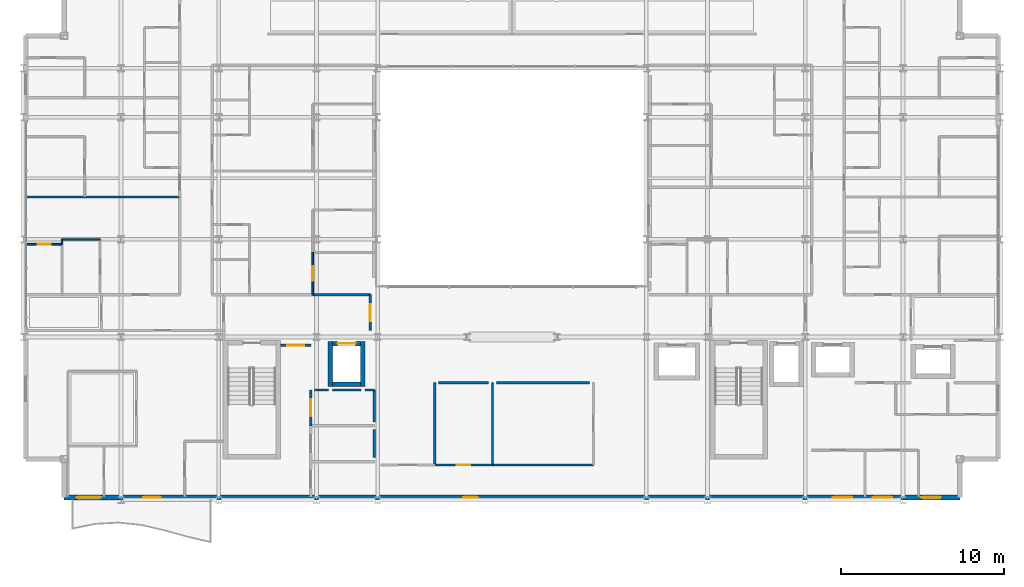
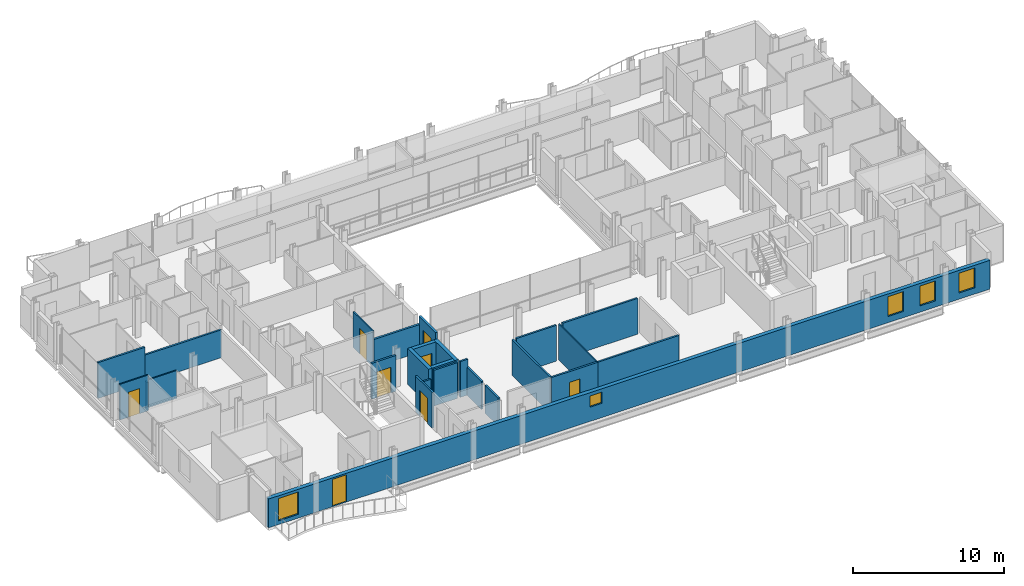
# One storey, part 32 of 41: 26 walls, 8 doors, 5 windows, 13 openings.
"""IFC4 building model written with IfcOpenShell, lengths in metres."""

from ifc_helpers import new_model, si_unit, direction, frame, frame_2d, origin, place, context, subcontext, project, spatial, rectangle, extrude, material, layer, layer_set, type_object, element, fill, save


model = new_model("IFC4")

# Units and contexts
model_context = context("Model", 3, precision=1e-05, world=origin(), true_north=direction((0.0, 1.0)))
body_context = subcontext(model_context, "Body", "Model", "MODEL_VIEW")
ifc_project = project(units=[si_unit("LENGTHUNIT", "METRE"), si_unit("AREAUNIT", "SQUARE_METRE"), si_unit("VOLUMEUNIT", "CUBIC_METRE"), si_unit("PLANEANGLEUNIT", "RADIAN"), si_unit("MASSUNIT", "GRAM", prefix="KILO")], contexts=[model_context])

# Site, building, storey
site_placement = place(None, origin())
site = spatial("IfcSite", under=ifc_project, at=site_placement, CompositionType="ELEMENT")
building_placement = place(site_placement, origin())
building = spatial("IfcBuilding", under=site, at=building_placement, Name="Brevholm Reach", CompositionType="ELEMENT")
storey_placement = place(building_placement, frame((0.0, 0.0, 106.60009765625)))
storey = spatial("IfcBuildingStorey", under=building, at=storey_placement, Name="L31", CompositionType="ELEMENT", Elevation=106.60009765625)

# Walls
ifc_material_1 = material(Name="Concrete C50/60", Category="concrete")
ifc_layer_1 = layer(ifc_material_1, 0.280029296875)
ifc_layer_set_1 = layer_set([ifc_layer_1], Name="Concrete C50/60")
wall_type_1 = type_object("IfcWallType", Name="WAL-COR-280", PredefinedType="SHEAR", material=ifc_layer_set_1)
for number, where, z_axis, x_axis, name in (
    (1, (18.85009765625, 6.9599609375, 0.0), (0.0, 0.0, 1.0), (0.0, 1.0, 0.0), "L31 Lift FFL-1 Shaft Wall W"),
    (2, (20.85009765625, 6.9599609375, 0.0), (0.0, 0.0, 1.0), (0.0, 1.0, 0.0), "L31 Lift FFL-1 Shaft Wall E"),
):
    element("IfcWall", number, at=place(storey_placement, frame(where, z_axis=z_axis, x_axis=x_axis)), inside=storey, type_object=wall_type_1, Name=name, PredefinedType="SHEAR", context=body_context, shape_type="SweptSolid", body=[
        extrude(rectangle(XDim=2.780029296875, YDim=0.280029296875, at=frame_2d((1.39013671875, 0.0))), origin(), (0.0, 0.0, 1.0), 2.8798828125),
    ])
wall_1_placement = place(storey_placement, frame((18.989990234375, 7.10009765625, 0.0), z_axis=(0.0, 0.0, 1.0), x_axis=(1.0, 0.0, 0.0)))
element("IfcWall", 3, at=wall_1_placement, inside=storey, type_object=wall_type_1, Name="L31 Lift FFL-1 Shaft Wall S", PredefinedType="SHEAR", context=body_context, shape_type="SweptSolid", body=[
    extrude(rectangle(XDim=1.719970703125, YDim=0.280029296875, at=frame_2d((0.85986328125, 0.0))), origin(), (0.0, 0.0, 1.0), 2.8798828125),
])

# Wall, opening, door
wall_2_placement = place(storey_placement, frame((18.989990234375, 9.60009765625, 0.0), z_axis=(0.0, 0.0, 1.0), x_axis=(1.0, 0.0, 0.0)))
wall_2 = element("IfcWall", 4, at=wall_2_placement, inside=storey, type_object=wall_type_1, Name="L31 Lift FFL-1 Shaft Wall N", PredefinedType="SHEAR", context=body_context, shape_type="SweptSolid", body=[
    extrude(rectangle(XDim=1.719970703125, YDim=0.280029296875, at=frame_2d((0.85986328125, 0.0))), origin(), (0.0, 0.0, 1.0), 2.8798828125),
])
opening_1_placement = place(wall_2_placement, frame((0.31005859375, 0.0, 0.0)))
opening_1 = element("IfcOpeningElement", 5, at=opening_1_placement, cuts=wall_2, Name="Opening LD-FFL-1", PredefinedType="OPENING", context=body_context, shape_type="SweptSolid", body=[
    extrude(rectangle(XDim=1.10009765625, YDim=2.06005859375, at=frame_2d((0.550048828125, 1.030029296875))), frame((0.0, 0.14990234375, 0.0), z_axis=(0.0, -1.0, 0.0), x_axis=(1.0, 0.0, 0.0)), (0.0, 0.0, 1.0), 0.300048828125),
])
ifc_material_2 = material(Name="Brushed Stainless Steel Fire-Rated Sliding Lift Door", Category="steel")
door_type_1 = type_object("IfcDoorType", Name="DOR-LFT-1100", OperationType="NOTDEFINED", PredefinedType="DOOR", material=ifc_material_2)
door_1_placement = place(opening_1_placement, origin())
door_1 = element("IfcDoor", 6, at=door_1_placement, inside=storey, type_object=door_type_1, Name="L31 Lift FFL-1 Sliding Landing Door", OperationType="SLIDING_TO_LEFT", OverallHeight=2.06005859375, OverallWidth=1.10009765625, PredefinedType="DOOR", context=body_context, shape_type="SweptSolid", body=[
    extrude(rectangle(XDim=1.10009765625, YDim=2.06005859375, at=frame_2d((0.550048828125, 1.030029296875))), frame((0.0, 0.02490234375, 0.0), z_axis=(0.0, -1.0, 0.0), x_axis=(1.0, 0.0, 0.0)), (0.0, 0.0, 1.0), 0.050048828125),
])
fill(opening_1, door_1)

# Wall, openings, door, windows
ifc_material_3 = material(Name="Concrete C40/50", Category="concrete")
ifc_layer_2 = layer(ifc_material_3, 0.300048828125)
ifc_layer_set_2 = layer_set([ifc_layer_2], Name="Concrete C40/50")
wall_type_2 = type_object("IfcWallType", Name="WAL-EXT-300", PredefinedType="STANDARD", material=ifc_layer_set_2)
wall_3_placement = place(storey_placement, frame((2.5, 0.14990234375, 0.0), z_axis=(0.0, 0.0, 1.0), x_axis=(1.0, 0.0, 0.0)))
wall_3 = element("IfcWall", 7, at=wall_3_placement, inside=storey, type_object=wall_type_2, Name="L31 Facade Wall WAL-L31-S", PredefinedType="STANDARD", context=body_context, shape_type="SweptSolid", body=[
    extrude(rectangle(XDim=55.0, YDim=0.300048828125, at=frame_2d((27.5, 0.0))), origin(), (0.0, 0.0, 1.0), 2.32177734375),
])
opening_2_placement = place(wall_3_placement, frame((4.85009765625, 0.0, 0.0)))
opening_2 = element("IfcOpeningElement", 8, at=opening_2_placement, cuts=wall_3, Name="Opening BD-01", PredefinedType="OPENING", context=body_context, shape_type="SweptSolid", body=[
    extrude(rectangle(XDim=1.10009765625, YDim=2.199951171875, at=frame_2d((0.550048828125, 1.10009765625))), frame((0.0, 0.159912109375, 0.0), z_axis=(0.0, -1.0, 0.0), x_axis=(1.0, 0.0, 0.0)), (0.0, 0.0, 1.0), 0.320068359375),
])
opening_3_placement = place(wall_3_placement, frame((0.76708984375, 0.0, 0.302001953125)))
opening_3 = element("IfcOpeningElement", 9, at=opening_3_placement, cuts=wall_3, Name="Opening WN-05", PredefinedType="OPENING", context=body_context, shape_type="SweptSolid", body=[
    extrude(rectangle(XDim=1.5, YDim=1.800048828125, at=frame_2d((0.75, 0.89990234375))), frame((0.0, 0.159912109375, 0.0), z_axis=(0.0, -1.0, 0.0), x_axis=(1.0, 0.0, 0.0)), (0.0, 0.0, 1.0), 0.320068359375),
])
opening_4_placement = place(wall_3_placement, frame((24.5, 0.0, 1.14990234375)))
opening_4 = element("IfcOpeningElement", 10, at=opening_4_placement, cuts=wall_3, Name="Opening WN-09", PredefinedType="OPENING", context=body_context, shape_type="SweptSolid", body=[
    extrude(rectangle(XDim=0.89990234375, YDim=0.89990234375, at=frame_2d((0.449951171875, 0.449951171875))), frame((0.0, 0.159912109375, 0.0), z_axis=(0.0, -1.0, 0.0), x_axis=(1.0, 0.0, 0.0)), (0.0, 0.0, 1.0), 0.320068359375),
])
opening_5_placement = place(wall_3_placement, frame((47.199951171875, 0.0, 0.501953125)))
opening_5 = element("IfcOpeningElement", 11, at=opening_5_placement, cuts=wall_3, Name="Opening WN-08", PredefinedType="OPENING", context=body_context, shape_type="SweptSolid", body=[
    extrude(rectangle(XDim=1.199951171875, YDim=1.60009765625, at=frame_2d((0.60009765625, 0.800048828125))), frame((0.0, 0.159912109375, 0.0), z_axis=(0.0, -1.0, 0.0), x_axis=(1.0, 0.0, 0.0)), (0.0, 0.0, 1.0), 0.320068359375),
])
opening_6_placement = place(wall_3_placement, frame((52.6298828125, 0.0, 0.501953125)))
opening_6 = element("IfcOpeningElement", 12, at=opening_6_placement, cuts=wall_3, Name="Opening WN-08", PredefinedType="OPENING", context=body_context, shape_type="SweptSolid", body=[
    extrude(rectangle(XDim=1.199951171875, YDim=1.60009765625, at=frame_2d((0.60009765625, 0.800048828125))), frame((0.0, 0.159912109375, 0.0), z_axis=(0.0, -1.0, 0.0), x_axis=(1.0, 0.0, 0.0)), (0.0, 0.0, 1.0), 0.320068359375),
])
opening_7_placement = place(wall_3_placement, frame((49.643310546875, 0.0, 0.501953125)))
opening_7 = element("IfcOpeningElement", 13, at=opening_7_placement, cuts=wall_3, Name="Opening WN-08", PredefinedType="OPENING", context=body_context, shape_type="SweptSolid", body=[
    extrude(rectangle(XDim=1.199951171875, YDim=1.60009765625, at=frame_2d((0.60009765625, 0.800048828125))), frame((0.0, 0.159912109375, 0.0), z_axis=(0.0, -1.0, 0.0), x_axis=(1.0, 0.0, 0.0)), (0.0, 0.0, 1.0), 0.320068359375),
])
ifc_material_4 = material(Name="Dark Anodised Aluminium and Triple-Glazed Glass", Category="aluminium")
door_type_2 = type_object("IfcDoorType", Name="DOR-BALC-1100", OperationType="NOTDEFINED", PredefinedType="DOOR", material=ifc_material_4)
door_2_placement = place(opening_2_placement, origin())
door_2 = element("IfcDoor", 14, at=door_2_placement, inside=storey, type_object=door_type_2, Name="L31 Exterior Door DOR-L31-BL-SW", OperationType="SINGLE_SWING_RIGHT", OverallHeight=2.199951171875, OverallWidth=1.10009765625, PredefinedType="DOOR", context=body_context, shape_type="SweptSolid", body=[
    extrude(rectangle(XDim=1.10009765625, YDim=2.199951171875, at=frame_2d((0.550048828125, 1.10009765625))), frame((0.0, 0.02490234375, 0.0), z_axis=(0.0, -1.0, 0.0), x_axis=(1.0, 0.0, 0.0)), (0.0, 0.0, 1.0), 0.050048828125),
])
fill(opening_2, door_2)
ifc_material_5 = material(Name="Dark Anodised Aluminium and Solar-Control IGU Glass", Category="aluminium")
window_type_1 = type_object("IfcWindowType", Name="WIN-POR-0900", PartitioningType="SINGLE_PANEL", PredefinedType="WINDOW", material=ifc_material_5)
window_1_placement = place(opening_4_placement, origin())
window_1 = element("IfcWindow", 15, at=window_1_placement, inside=storey, type_object=window_type_1, Name="L31 Window WIN-L31-S-POR", OverallHeight=0.89990234375, OverallWidth=0.89990234375, PartitioningType="SINGLE_PANEL", PredefinedType="WINDOW", context=body_context, shape_type="SweptSolid", body=[
    extrude(rectangle(XDim=0.89990234375, YDim=0.89990234375, at=frame_2d((0.449951171875, 0.449951171875))), frame((0.0, 0.030029296875, 0.0), z_axis=(0.0, -1.0, 0.0), x_axis=(1.0, 0.0, 0.0)), (0.0, 0.0, 1.0), 0.06005859375),
])
fill(opening_4, window_1)
ifc_material_6 = material(Name="Dark Anodised Aluminium and Solar-Control IGU Glass", Category="aluminium")
window_type_2 = type_object("IfcWindowType", Name="WIN-RES-1200", PartitioningType="SINGLE_PANEL", PredefinedType="WINDOW", material=ifc_material_6)
window_2_placement = place(opening_5_placement, origin())
window_2 = element("IfcWindow", 16, at=window_2_placement, inside=storey, type_object=window_type_2, Name="L31 Window WIN-L31-S-E1", OverallHeight=1.60009765625, OverallWidth=1.199951171875, PartitioningType="SINGLE_PANEL", PredefinedType="WINDOW", context=body_context, shape_type="SweptSolid", body=[
    extrude(rectangle(XDim=1.199951171875, YDim=1.60009765625, at=frame_2d((0.60009765625, 0.800048828125))), frame((0.0, 0.030029296875, 0.0), z_axis=(0.0, -1.0, 0.0), x_axis=(1.0, 0.0, 0.0)), (0.0, 0.0, 1.0), 0.06005859375),
])
fill(opening_5, window_2)
window_3_placement = place(opening_6_placement, origin())
window_3 = element("IfcWindow", 17, at=window_3_placement, inside=storey, type_object=window_type_2, Name="L31 Window WIN-L31-S-E2", OverallHeight=1.60009765625, OverallWidth=1.199951171875, PartitioningType="SINGLE_PANEL", PredefinedType="WINDOW", context=body_context, shape_type="SweptSolid", body=[
    extrude(rectangle(XDim=1.199951171875, YDim=1.60009765625, at=frame_2d((0.60009765625, 0.800048828125))), frame((0.0, 0.030029296875, 0.0), z_axis=(0.0, -1.0, 0.0), x_axis=(1.0, 0.0, 0.0)), (0.0, 0.0, 1.0), 0.06005859375),
])
fill(opening_6, window_3)
window_4_placement = place(opening_7_placement, origin())
window_4 = element("IfcWindow", 18, at=window_4_placement, inside=storey, type_object=window_type_2, Name="L31 Bedroom Window 034", OverallHeight=1.60009765625, OverallWidth=1.199951171875, PartitioningType="SINGLE_PANEL", PredefinedType="WINDOW", context=body_context, shape_type="SweptSolid", body=[
    extrude(rectangle(XDim=1.199951171875, YDim=1.60009765625, at=frame_2d((0.60009765625, 0.800048828125))), frame((0.0, 0.030029296875, 0.0), z_axis=(0.0, -1.0, 0.0), x_axis=(1.0, 0.0, 0.0)), (0.0, 0.0, 1.0), 0.06005859375),
])
fill(opening_7, window_4)
ifc_material_7 = material(Name="Dark Anodised Aluminium and Solar-Control IGU Glass", Category="aluminium")
window_type_3 = type_object("IfcWindowType", Name="WIN-RES-1500", PartitioningType="SINGLE_PANEL", PredefinedType="WINDOW", material=ifc_material_7)
window_5_placement = place(opening_3_placement, origin())
window_5 = element("IfcWindow", 19, at=window_5_placement, inside=storey, type_object=window_type_3, Name="L31 Window WIN-L31-S-W1", OverallHeight=1.800048828125, OverallWidth=1.5, PartitioningType="SINGLE_PANEL", PredefinedType="WINDOW", context=body_context, shape_type="SweptSolid", body=[
    extrude(rectangle(XDim=1.5, YDim=1.800048828125, at=frame_2d((0.75, 0.89990234375))), frame((0.0, 0.030029296875, 0.0), z_axis=(0.0, -1.0, 0.0), x_axis=(1.0, 0.0, 0.0)), (0.0, 0.0, 1.0), 0.06005859375),
])
fill(opening_3, window_5)

# Wall
ifc_material_8 = material(Name="Moisture-Resistant Acoustic Gypsum Stud Partition 100 mm", Category="gypsum")
ifc_layer_3 = layer(ifc_material_8, 0.10009765625)
ifc_layer_set_3 = layer_set([ifc_layer_3], Name="Moisture-Resistant Acoustic Gypsum Stud Partition 100 mm")
wall_type_3 = type_object("IfcWallType", Name="WAL-PRT-100", PredefinedType="PARTITIONING", material=ifc_layer_set_3)
wall_4_placement = place(storey_placement, frame((28.800048828125, 2.154052734375, 0.0), z_axis=(0.0, 0.0, 1.0), x_axis=(0.0, 1.0, 0.0)))
element("IfcWall", 20, at=wall_4_placement, inside=storey, type_object=wall_type_3, Name="L31 Internal Partition 006", PredefinedType="PARTITIONING", context=body_context, shape_type="SweptSolid", body=[
    extrude(rectangle(XDim=5.0458984375, YDim=0.10009765625, at=frame_2d((2.52294921875, 0.0))), origin(), (0.0, 0.0, 1.0), 2.8798828125),
])

# Wall, opening, door
wall_5_placement = place(storey_placement, frame((0.199951171875, 15.699951171875, 0.0), z_axis=(0.0, 0.0, 1.0), x_axis=(1.0, 0.0, 0.0)))
wall_5 = element("IfcWall", 21, at=wall_5_placement, inside=storey, type_object=wall_type_3, Name="L31 Internal Partition 092", PredefinedType="PARTITIONING", context=body_context, shape_type="SweptSolid", body=[
    extrude(rectangle(XDim=2.162109375, YDim=0.10009765625, at=frame_2d((1.0810546875, 0.0))), origin(), (0.0, 0.0, 1.0), 2.8798828125),
])
opening_8_placement = place(wall_5_placement, frame((0.6708984375, 0.0, 0.0)))
opening_8 = element("IfcOpeningElement", 22, at=opening_8_placement, cuts=wall_5, Name="Opening ID-03", PredefinedType="OPENING", context=body_context, shape_type="SweptSolid", body=[
    extrude(rectangle(XDim=0.820068359375, YDim=2.02001953125, at=frame_2d((0.41015625, 1.010009765625))), frame((0.0, 0.06005859375, 0.0), z_axis=(0.0, -1.0, 0.0), x_axis=(1.0, 0.0, 0.0)), (0.0, 0.0, 1.0), 0.1201171875),
])
ifc_material_9 = material(Name="Moisture-Resistant Painted Timber Internal Bathroom Door", Category="wood")
door_type_3 = type_object("IfcDoorType", Name="DOR-BATH-820", OperationType="NOTDEFINED", PredefinedType="DOOR", material=ifc_material_9)
door_3_placement = place(opening_8_placement, origin())
door_3 = element("IfcDoor", 23, at=door_3_placement, inside=storey, type_object=door_type_3, Name="L31 Internal Door 035", OperationType="SINGLE_SWING_RIGHT", OverallHeight=2.02001953125, OverallWidth=0.820068359375, PredefinedType="DOOR", context=body_context, shape_type="SweptSolid", body=[
    extrude(rectangle(XDim=0.820068359375, YDim=2.02001953125, at=frame_2d((0.41015625, 1.010009765625))), frame((0.0, 0.02490234375, 0.0), z_axis=(0.0, -1.0, 0.0), x_axis=(1.0, 0.0, 0.0)), (0.0, 0.0, 1.0), 0.050048828125),
])
fill(opening_8, door_3)

# Walls
wall_6_placement = place(storey_placement, frame((2.362060546875, 16.0, 0.0), z_axis=(0.0, 0.0, 1.0), x_axis=(1.0, 0.0, 0.0)))
element("IfcWall", 24, at=wall_6_placement, inside=storey, type_object=wall_type_3, Name="L31 Internal Partition 094", PredefinedType="PARTITIONING", context=body_context, shape_type="SweptSolid", body=[
    extrude(rectangle(XDim=2.349853515625, YDim=0.10009765625, at=frame_2d((1.1748046875, 0.0))), origin(), (0.0, 0.0, 1.0), 2.24267578125),
])
wall_7_placement = place(storey_placement, frame((2.362060546875, 15.7041015625, 0.0), z_axis=(0.0, 0.0, 1.0), x_axis=(0.0, 1.0, 0.0)))
element("IfcWall", 25, at=wall_7_placement, inside=storey, type_object=wall_type_3, Name="L31 Internal Partition 095", PredefinedType="PARTITIONING", context=body_context, shape_type="SweptSolid", body=[
    extrude(rectangle(XDim=0.2958984375, YDim=0.10009765625, at=frame_2d((0.14794921875, 0.0))), origin(), (0.0, 0.0, 1.0), 2.24267578125),
])

# Wall, opening, door
wall_8_placement = place(storey_placement, frame((17.76904296875, 12.60400390625, 0.0), z_axis=(0.0, 0.0, 1.0), x_axis=(0.0, 1.0, 0.0)))
wall_8 = element("IfcWall", 26, at=wall_8_placement, inside=storey, type_object=wall_type_3, Name="L31 Internal Partition 118", PredefinedType="PARTITIONING", context=body_context, shape_type="SweptSolid", body=[
    extrude(rectangle(XDim=2.595947265625, YDim=0.10009765625, at=frame_2d((1.2978515625, 0.0))), origin(), (0.0, 0.0, 1.0), 2.8798828125),
])
opening_9_placement = place(wall_8_placement, frame((0.85791015625, 0.0, 0.0)))
opening_9 = element("IfcOpeningElement", 27, at=opening_9_placement, cuts=wall_8, Name="Opening ID-01", PredefinedType="OPENING", context=body_context, shape_type="SweptSolid", body=[
    extrude(rectangle(XDim=0.8798828125, YDim=2.0400390625, at=frame_2d((0.43994140625, 1.02001953125))), frame((0.0, 0.06005859375, 0.0), z_axis=(0.0, -1.0, 0.0), x_axis=(1.0, 0.0, 0.0)), (0.0, 0.0, 1.0), 0.1201171875),
])
ifc_material_10 = material(Name="Lacquered Ash Solid-Core Acoustic Internal Door", Category="timber")
door_type_4 = type_object("IfcDoorType", Name="DOR-INT-880", OperationType="NOTDEFINED", PredefinedType="DOOR", material=ifc_material_10)
door_4_placement = place(opening_9_placement, origin())
door_4 = element("IfcDoor", 28, at=door_4_placement, inside=storey, type_object=door_type_4, Name="L31 Internal Door 045", OperationType="SINGLE_SWING_RIGHT", OverallHeight=2.0400390625, OverallWidth=0.8798828125, PredefinedType="DOOR", context=body_context, shape_type="SweptSolid", body=[
    extrude(rectangle(XDim=0.8798828125, YDim=2.0400390625, at=frame_2d((0.43994140625, 1.02001953125))), frame((0.0, 0.02490234375, 0.0), z_axis=(0.0, -1.0, 0.0), x_axis=(1.0, 0.0, 0.0)), (0.0, 0.0, 1.0), 0.050048828125),
])
fill(opening_9, door_4)

ifc_material_11 = material(Name="Twin-Stud Acoustic Fire-Rated Gypsum Partition 140 mm", Category="gypsum")
ifc_layer_4 = layer(ifc_material_11, 0.139892578125)
ifc_layer_set_4 = layer_set([ifc_layer_4], Name="Twin-Stud Acoustic Fire-Rated Gypsum Partition 140 mm")
wall_type_4 = type_object("IfcWallType", Name="WAL-PRT-140", PredefinedType="PARTITIONING", material=ifc_layer_set_4)
wall_9_placement = place(storey_placement, frame((25.252685546875, 2.14990234375, 0.0), z_axis=(0.0, 0.0, 1.0), x_axis=(1.0, 0.0, 0.0)))
wall_9 = element("IfcWall", 29, at=wall_9_placement, inside=storey, type_object=wall_type_4, Name="L31 Internal Partition 003", PredefinedType="PARTITIONING", context=body_context, shape_type="SweptSolid", body=[
    extrude(rectangle(XDim=3.55859375, YDim=0.139892578125, at=frame_2d((1.779296875, 0.0))), origin(), (0.0, 0.0, 1.0), 2.8798828125),
])
opening_10_placement = place(wall_9_placement, frame((1.369384765625, 0.0, 0.0)))
opening_10 = element("IfcOpeningElement", 30, at=opening_10_placement, cuts=wall_9, Name="Opening ID-02", PredefinedType="OPENING", context=body_context, shape_type="SweptSolid", body=[
    extrude(rectangle(XDim=0.820068359375, YDim=2.02001953125, at=frame_2d((0.41015625, 1.010009765625))), frame((0.0, 0.079833984375, 0.0), z_axis=(0.0, -1.0, 0.0), x_axis=(1.0, 0.0, 0.0)), (0.0, 0.0, 1.0), 0.159912109375),
])
ifc_material_12 = material(Name="Moisture-Resistant Painted Timber Fire-Rated Riser and Service Door", Category="wood")
door_type_5 = type_object("IfcDoorType", Name="DOR-SRV-820", OperationType="NOTDEFINED", PredefinedType="DOOR", material=ifc_material_12)
door_5_placement = place(opening_10_placement, origin())
door_5 = element("IfcDoor", 31, at=door_5_placement, inside=storey, type_object=door_type_5, Name="L31 Internal Door 003", OperationType="SINGLE_SWING_RIGHT", OverallHeight=2.02001953125, OverallWidth=0.820068359375, PredefinedType="DOOR", context=body_context, shape_type="SweptSolid", body=[
    extrude(rectangle(XDim=0.820068359375, YDim=2.02001953125, at=frame_2d((0.41015625, 1.010009765625))), frame((0.0, 0.02490234375, 0.0), z_axis=(0.0, -1.0, 0.0), x_axis=(1.0, 0.0, 0.0)), (0.0, 0.0, 1.0), 0.050048828125),
])
fill(opening_10, door_5)

# Walls
wall_10_placement = place(storey_placement, frame((28.792724609375, 2.14990234375, 0.0), z_axis=(0.0, 0.0, 1.0), x_axis=(1.0, 0.0, 0.0)))
element("IfcWall", 32, at=wall_10_placement, inside=storey, type_object=wall_type_4, Name="L31 Internal Partition 004", PredefinedType="PARTITIONING", context=body_context, shape_type="SweptSolid", body=[
    extrude(rectangle(XDim=6.203369140625, YDim=0.139892578125, at=frame_2d((3.1015625, 0.0))), origin(), (0.0, 0.0, 1.0), 2.8798828125),
])
wall_11_placement = place(storey_placement, frame((25.260009765625, 2.154052734375, 0.0), z_axis=(0.0, 0.0, 1.0), x_axis=(0.0, 1.0, 0.0)))
element("IfcWall", 33, at=wall_11_placement, inside=storey, type_object=wall_type_4, Name="L31 Internal Partition 005", PredefinedType="PARTITIONING", context=body_context, shape_type="SweptSolid", body=[
    extrude(rectangle(XDim=5.0458984375, YDim=0.139892578125, at=frame_2d((2.52294921875, 0.0))), origin(), (0.0, 0.0, 1.0), 2.8798828125),
])

# Wall, opening, door
wall_12_placement = place(storey_placement, frame((17.64990234375, 4.542724609375, 0.0), z_axis=(0.0, 0.0, 1.0), x_axis=(0.0, 1.0, 0.0)))
wall_12 = element("IfcWall", 34, at=wall_12_placement, inside=storey, type_object=wall_type_4, Name="L31 Internal Partition 009", PredefinedType="PARTITIONING", context=body_context, shape_type="SweptSolid", body=[
    extrude(rectangle(XDim=2.218505859375, YDim=0.139892578125, at=frame_2d((1.109375, 0.0))), origin(), (0.0, 0.0, 1.0), 2.8798828125),
])
opening_11_placement = place(wall_12_placement, frame((0.584228515625, 0.0, 0.0)))
opening_11 = element("IfcOpeningElement", 35, at=opening_11_placement, cuts=wall_12, Name="Opening FD-01", PredefinedType="OPENING", context=body_context, shape_type="SweptSolid", body=[
    extrude(rectangle(XDim=1.050048828125, YDim=2.06005859375, at=frame_2d((0.52490234375, 1.030029296875))), frame((0.0, 0.079833984375, 0.0), z_axis=(0.0, -1.0, 0.0), x_axis=(1.0, 0.0, 0.0)), (0.0, 0.0, 1.0), 0.159912109375),
])
ifc_material_13 = material(Name="Hardwood-Lipped Steel-Core Fire and Smoke Door", Category="steel")
door_type_6 = type_object("IfcDoorType", Name="DOR-INT-FD60S", OperationType="NOTDEFINED", PredefinedType="DOOR", material=ifc_material_13)
door_6_placement = place(opening_11_placement, origin())
door_6 = element("IfcDoor", 36, at=door_6_placement, inside=storey, type_object=door_type_6, Name="L31 Internal Door 006", OperationType="SINGLE_SWING_LEFT", OverallHeight=2.06005859375, OverallWidth=1.050048828125, PredefinedType="DOOR", context=body_context, shape_type="SweptSolid", body=[
    extrude(rectangle(XDim=1.050048828125, YDim=2.06005859375, at=frame_2d((0.52490234375, 1.030029296875))), frame((0.0, 0.02490234375, 0.0), z_axis=(0.0, -1.0, 0.0), x_axis=(1.0, 0.0, 0.0)), (0.0, 0.0, 1.0), 0.050048828125),
])
fill(opening_11, door_6)

# Walls
wall_13_placement = place(storey_placement, frame((0.199951171875, 18.60009765625, 0.0), z_axis=(0.0, 0.0, 1.0), x_axis=(1.0, 0.0, 0.0)))
element("IfcWall", 37, at=wall_13_placement, inside=storey, type_object=wall_type_4, Name="L31 Internal Partition 096", PredefinedType="PARTITIONING", context=body_context, shape_type="SweptSolid", body=[
    extrude(rectangle(XDim=3.583251953125, YDim=0.139892578125, at=frame_2d((1.79150390625, 0.0))), origin(), (0.0, 0.0, 1.0), 2.8798828125),
])
wall_14_placement = place(storey_placement, frame((3.7646484375, 18.60009765625, 0.0), z_axis=(0.0, 0.0, 1.0), x_axis=(1.0, 0.0, 0.0)))
element("IfcWall", 38, at=wall_14_placement, inside=storey, type_object=wall_type_4, Name="L31 Internal Partition 097", PredefinedType="PARTITIONING", context=body_context, shape_type="SweptSolid", body=[
    extrude(rectangle(XDim=5.831298828125, YDim=0.139892578125, at=frame_2d((2.91552734375, 0.0))), origin(), (0.0, 0.0, 1.0), 2.24267578125),
])
wall_15_placement = place(storey_placement, frame((25.5, 7.199951171875, 0.0), z_axis=(0.0, 0.0, 1.0), x_axis=(1.0, 0.0, 0.0)))
element("IfcWall", 39, at=wall_15_placement, inside=storey, type_object=wall_type_4, Name="L31 Internal Partition 169", PredefinedType="PARTITIONING", context=body_context, shape_type="SweptSolid", body=[
    extrude(rectangle(XDim=3.06005859375, YDim=0.139892578125, at=frame_2d((1.530029296875, 0.0))), origin(), (0.0, 0.0, 1.0), 2.8798828125),
])
wall_16_placement = place(storey_placement, frame((29.0400390625, 7.199951171875, 0.0), z_axis=(0.0, 0.0, 1.0), x_axis=(1.0, 0.0, 0.0)))
element("IfcWall", 40, at=wall_16_placement, inside=storey, type_object=wall_type_4, Name="L31 Internal Partition 170", PredefinedType="PARTITIONING", context=body_context, shape_type="SweptSolid", body=[
    extrude(rectangle(XDim=5.719970703125, YDim=0.139892578125, at=frame_2d((2.85986328125, 0.0))), origin(), (0.0, 0.0, 1.0), 2.8798828125),
])
wall_17_placement = place(storey_placement, frame((21.550048828125, 2.590087890625, 0.0), z_axis=(0.0, 0.0, 1.0), x_axis=(0.0, 1.0, 0.0)))
element("IfcWall", 41, at=wall_17_placement, inside=storey, type_object=wall_type_4, Name="L31 Internal Partition 171", PredefinedType="PARTITIONING", context=body_context, shape_type="SweptSolid", body=[
    extrude(rectangle(XDim=1.719970703125, YDim=0.139892578125, at=frame_2d((0.85986328125, 0.0))), origin(), (0.0, 0.0, 1.0), 2.24267578125),
])
wall_18_placement = place(storey_placement, frame((21.550048828125, 4.7900390625, 0.0), z_axis=(0.0, 0.0, 1.0), x_axis=(0.0, 1.0, 0.0)))
element("IfcWall", 42, at=wall_18_placement, inside=storey, type_object=wall_type_4, Name="L31 Internal Partition 172", PredefinedType="PARTITIONING", context=body_context, shape_type="SweptSolid", body=[
    extrude(rectangle(XDim=1.9599609375, YDim=0.139892578125, at=frame_2d((0.97998046875, 0.0))), origin(), (0.0, 0.0, 1.0), 2.24267578125),
])
wall_19_placement = place(storey_placement, frame((20.9658203125, 6.75, 0.0), z_axis=(0.0, 0.0, 1.0), x_axis=(1.0, 0.0, 0.0)))
element("IfcWall", 43, at=wall_19_placement, inside=storey, type_object=wall_type_4, Name="L31 Internal Partition 173", PredefinedType="PARTITIONING", context=body_context, shape_type="SweptSolid", body=[
    extrude(rectangle(XDim=0.584228515625, YDim=0.139892578125, at=frame_2d((0.2919921875, 0.0))), origin(), (0.0, 0.0, 1.0), 2.8798828125),
])
wall_20_placement = place(storey_placement, frame((18.9658203125, 6.75, 0.0), z_axis=(0.0, 0.0, 1.0), x_axis=(1.0, 0.0, 0.0)))
element("IfcWall", 44, at=wall_20_placement, inside=storey, type_object=wall_type_4, Name="L31 Internal Partition 174", PredefinedType="PARTITIONING", context=body_context, shape_type="SweptSolid", body=[
    extrude(rectangle(XDim=1.768310546875, YDim=0.139892578125, at=frame_2d((0.88427734375, 0.0))), origin(), (0.0, 0.0, 1.0), 2.8798828125),
])
wall_21_placement = place(storey_placement, frame((17.889892578125, 6.75, 0.0), z_axis=(0.0, 0.0, 1.0), x_axis=(1.0, 0.0, 0.0)))
element("IfcWall", 45, at=wall_21_placement, inside=storey, type_object=wall_type_4, Name="L31 Internal Partition 175", PredefinedType="PARTITIONING", context=body_context, shape_type="SweptSolid", body=[
    extrude(rectangle(XDim=0.84423828125, YDim=0.139892578125, at=frame_2d((0.422119140625, 0.0))), origin(), (0.0, 0.0, 1.0), 2.24267578125),
])

# Wall, opening, door
ifc_material_14 = material(Name="Twin-Frame Fire-Rated Gypsum Board and Mineral Wool 160 mm", Category="gypsum")
ifc_layer_5 = layer(ifc_material_14, 0.159912109375)
ifc_layer_set_5 = layer_set([ifc_layer_5], Name="Twin-Frame Fire-Rated Gypsum Board and Mineral Wool 160 mm")
wall_type_5 = type_object("IfcWallType", Name="WAL-PRT-160", PredefinedType="PARTITIONING", material=ifc_layer_set_5)
wall_22_placement = place(storey_placement, frame((15.800048828125, 9.5, 0.0), z_axis=(0.0, 0.0, 1.0), x_axis=(1.0, 0.0, 0.0)))
wall_22 = element("IfcWall", 46, at=wall_22_placement, inside=storey, type_object=wall_type_5, Name="L31 Internal Partition 010", PredefinedType="PARTITIONING", context=body_context, shape_type="SweptSolid", body=[
    extrude(rectangle(XDim=1.849853515625, YDim=0.159912109375, at=frame_2d((0.9248046875, 0.0))), origin(), (0.0, 0.0, 1.0), 2.8798828125),
])
opening_12_placement = place(wall_22_placement, frame((0.39990234375, 0.0, 0.0)))
opening_12 = element("IfcOpeningElement", 47, at=opening_12_placement, cuts=wall_22, Name="Opening FD-01", PredefinedType="OPENING", context=body_context, shape_type="SweptSolid", body=[
    extrude(rectangle(XDim=1.050048828125, YDim=2.06005859375, at=frame_2d((0.52490234375, 1.030029296875))), frame((0.0, 0.08984375, 0.0), z_axis=(0.0, -1.0, 0.0), x_axis=(1.0, 0.0, 0.0)), (0.0, 0.0, 1.0), 0.179931640625),
])
door_7_placement = place(opening_12_placement, origin())
door_7 = element("IfcDoor", 48, at=door_7_placement, inside=storey, type_object=door_type_6, Name="L31 Internal Door 007", OperationType="SINGLE_SWING_RIGHT", OverallHeight=2.06005859375, OverallWidth=1.050048828125, PredefinedType="DOOR", context=body_context, shape_type="SweptSolid", body=[
    extrude(rectangle(XDim=1.050048828125, YDim=2.06005859375, at=frame_2d((0.52490234375, 1.030029296875))), frame((0.0, 0.02490234375, 0.0), z_axis=(0.0, -1.0, 0.0), x_axis=(1.0, 0.0, 0.0)), (0.0, 0.0, 1.0), 0.050048828125),
])
fill(opening_12, door_7)

wall_23_placement = place(storey_placement, frame((21.300048828125, 10.388671875, 0.0), z_axis=(0.0, 0.0, 1.0), x_axis=(0.0, 1.0, 0.0)))
wall_23 = element("IfcWall", 49, at=wall_23_placement, inside=storey, type_object=wall_type_5, Name="L31 Internal Partition 018", PredefinedType="PARTITIONING", context=body_context, shape_type="SweptSolid", body=[
    extrude(rectangle(XDim=2.21142578125, YDim=0.159912109375, at=frame_2d((1.105712890625, 0.0))), origin(), (0.0, 0.0, 1.0), 2.8798828125),
])
opening_13_placement = place(wall_23_placement, frame((0.58056640625, 0.0, 0.0)))
opening_13 = element("IfcOpeningElement", 50, at=opening_13_placement, cuts=wall_23, Name="Opening FD-01", PredefinedType="OPENING", context=body_context, shape_type="SweptSolid", body=[
    extrude(rectangle(XDim=1.050048828125, YDim=2.06005859375, at=frame_2d((0.52490234375, 1.030029296875))), frame((0.0, 0.08984375, 0.0), z_axis=(0.0, -1.0, 0.0), x_axis=(1.0, 0.0, 0.0)), (0.0, 0.0, 1.0), 0.179931640625),
])
door_8_placement = place(opening_13_placement, origin())
door_8 = element("IfcDoor", 51, at=door_8_placement, inside=storey, type_object=door_type_6, Name="L31 Internal Door 012", OperationType="SINGLE_SWING_LEFT", OverallHeight=2.06005859375, OverallWidth=1.050048828125, PredefinedType="DOOR", context=body_context, shape_type="SweptSolid", body=[
    extrude(rectangle(XDim=1.050048828125, YDim=2.06005859375, at=frame_2d((0.52490234375, 1.030029296875))), frame((0.0, 0.02490234375, 0.0), z_axis=(0.0, -1.0, 0.0), x_axis=(1.0, 0.0, 0.0)), (0.0, 0.0, 1.0), 0.050048828125),
])
fill(opening_13, door_8)

# Wall
wall_24_placement = place(storey_placement, frame((17.7578125, 12.60009765625, 0.0), z_axis=(0.0, 0.0, 1.0), x_axis=(1.0, 0.0, 0.0)))
element("IfcWall", 52, at=wall_24_placement, inside=storey, type_object=wall_type_5, Name="L31 Internal Partition 021", PredefinedType="PARTITIONING", context=body_context, shape_type="SweptSolid", body=[
    extrude(rectangle(XDim=3.542236328125, YDim=0.159912109375, at=frame_2d((1.77099609375, 0.0))), origin(), (0.0, 0.0, 1.0), 2.24267578125),
])

save(model, "model.ifc")
